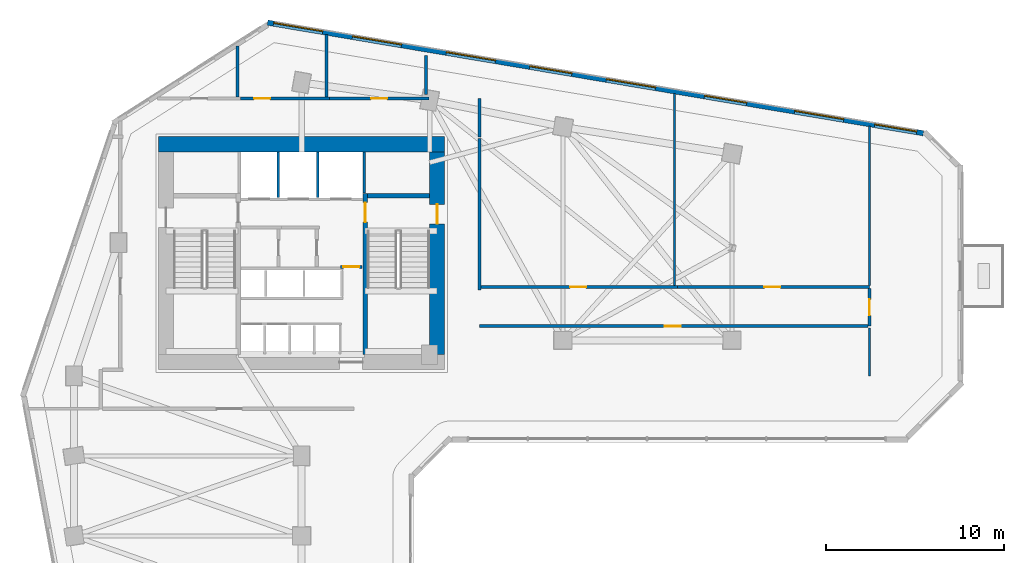
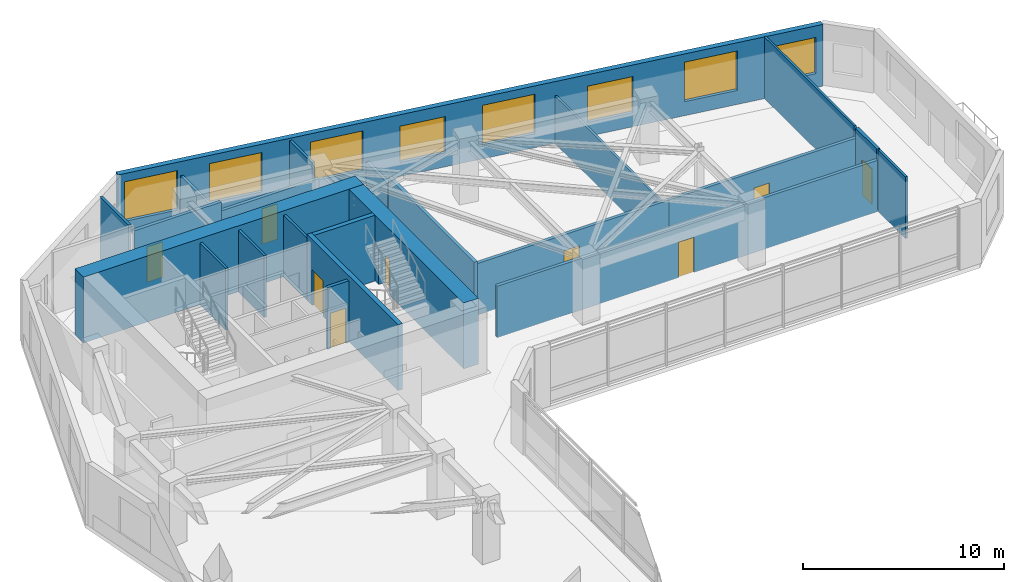
# One storey, part 7 of 11: 23 walls, 9 doors, 8 windows, 17 openings.
"""IFC4 building model written with IfcOpenShell, lengths in metres."""

from ifc_helpers import new_model, si_unit, direction, frame, frame_2d, origin, place, context, subcontext, project, spatial, rectangle, extrude, source, transform, mapped, material, layer, layer_set, type_object, element, fill, save


model = new_model("IFC4")

# Units and contexts
model_context = context("Model", 3, precision=1e-05, world=origin(), true_north=direction((0.0, 1.0)))
body_context = subcontext(model_context, "Body", "Model", "MODEL_VIEW")
ifc_project = project(units=[si_unit("LENGTHUNIT", "METRE"), si_unit("AREAUNIT", "SQUARE_METRE"), si_unit("VOLUMEUNIT", "CUBIC_METRE"), si_unit("PLANEANGLEUNIT", "RADIAN"), si_unit("MASSUNIT", "GRAM", prefix="KILO")], contexts=[model_context])

# Site, building, storey
site_placement = place(None, origin())
site = spatial("IfcSite", under=ifc_project, at=site_placement, CompositionType="ELEMENT")
building_placement = place(site_placement, origin())
building = spatial("IfcBuilding", under=site, at=building_placement, Name="Calvemar Wedge Station Tower", CompositionType="ELEMENT")
storey_placement = place(building_placement, frame((0.0, 0.0, 35.0)))
storey = spatial("IfcBuildingStorey", under=building, at=storey_placement, Name="L08", CompositionType="ELEMENT", Elevation=35.0)

# Wall, opening, door
ifc_material_1 = material(Name="Concrete C50", Category="concrete")
ifc_layer_1 = layer(ifc_material_1, 0.260009765625)
ifc_layer_set_1 = layer_set([ifc_layer_1], Name="Concrete C50")
wall_type_1 = type_object("IfcWallType", Name="SW-CORE-260", PredefinedType="SHEAR", material=ifc_layer_set_1)
wall_1_placement = place(storey_placement, frame((27.3701171875, 34.199951171875, 0.0), z_axis=(0.0, 0.0, 1.0), x_axis=(0.0, 1.0, 0.0)))
wall_1 = element("IfcWall", 1, at=wall_1_placement, inside=storey, type_object=wall_type_1, Name="Storey L08 Core Shear Wall SPINE-E", PredefinedType="SHEAR", context=body_context, shape_type="SweptSolid", body=[
    extrude(rectangle(XDim=9.06005859375, YDim=0.260009765625, at=frame_2d((4.530029296875, 0.0))), origin(), (0.0, 0.0, 1.0), 4.0),
])
shared_shape_1 = source(origin(), body_context, "Body", "SweptSolid", [
    extrude(rectangle(XDim=1.10009765625, YDim=2.14990234375, at=frame_2d((0.550048828125, 1.074951171875))), frame((0.0, 0.14013671875, 0.0), z_axis=(0.0, -1.0, 0.0), x_axis=(1.0, 0.0, 0.0)), (0.0, 0.0, 1.0), 0.280029296875),
])
opening_1_placement = place(wall_1_placement, frame((7.449951171875, 0.0, 0.0)))
opening_1 = element("IfcOpeningElement", 2, at=opening_1_placement, cuts=wall_1, Name="Opening FD-90", PredefinedType="OPENING", context=body_context, shape_type="MappedRepresentation", body=[
    mapped(shared_shape_1, transform((0.0, 0.0, 0.0), scale=1.0)),
])
ifc_material_2 = material(Name="Galvanized fire-rated steel door leaf P-90", Category="steel")
door_type_1 = type_object("IfcDoorType", Name="DR-FD90-1100", OperationType="NOTDEFINED", PredefinedType="DOOR", material=ifc_material_2)
shared_shape_2 = source(origin(), body_context, "Body", "SweptSolid", [
    extrude(rectangle(XDim=1.10009765625, YDim=2.14990234375, at=frame_2d((0.550048828125, 1.074951171875))), frame((0.0, 0.02490234375, 0.0), z_axis=(0.0, -1.0, 0.0), x_axis=(1.0, 0.0, 0.0)), (0.0, 0.0, 1.0), 0.050048828125),
])
door_1_placement = place(opening_1_placement, origin())
door_1 = element("IfcDoor", 3, at=door_1_placement, inside=storey, type_object=door_type_1, Name="L08 FF Lobby to Stair ST-C2 Door", OperationType="SINGLE_SWING_RIGHT", OverallHeight=2.14990234375, OverallWidth=1.10009765625, PredefinedType="DOOR", context=body_context, shape_type="MappedRepresentation", body=[
    mapped(shared_shape_2, transform((0.0, 0.0, 0.0), scale=1.0)),
])
fill(opening_1, door_1)

# Walls
wall_2_placement = place(storey_placement, frame((27.5, 43.1298828125, 0.0), z_axis=(0.0, 0.0, 1.0), x_axis=(1.0, 0.0, 0.0)))
element("IfcWall", 4, at=wall_2_placement, inside=storey, type_object=wall_type_1, Name="Storey L08 Core Shear Wall STC2-N", PredefinedType="SHEAR", context=body_context, shape_type="SweptSolid", body=[
    extrude(rectangle(XDim=3.5, YDim=0.260009765625, at=frame_2d((1.75, 0.0))), origin(), (0.0, 0.0, 1.0), 4.0),
])
ifc_material_3 = material(Name="Concrete C80", Category="concrete")
ifc_layer_2 = layer(ifc_material_3, 0.85009765625)
ifc_layer_set_2 = layer_set([ifc_layer_2], Name="Concrete C80")
wall_type_2 = type_object("IfcWallType", Name="SW-CORE-850", PredefinedType="SHEAR", material=ifc_layer_set_2)
wall_3_placement = place(storey_placement, frame((15.75, 46.02490234375, 0.0), z_axis=(0.0, 0.0, 1.0), x_axis=(1.0, 0.0, 0.0)))
element("IfcWall", 5, at=wall_3_placement, inside=storey, type_object=wall_type_2, Name="Storey L08 Core Shear Wall N", PredefinedType="SHEAR", context=body_context, shape_type="SweptSolid", body=[
    extrude(rectangle(XDim=16.10009765625, YDim=0.85009765625, at=frame_2d((8.050048828125, 0.0))), origin(), (0.0, 0.0, 1.0), 4.0),
])

# Wall, opening, door
wall_4_placement = place(storey_placement, frame((31.425048828125, 34.199951171875, 0.0), z_axis=(0.0, 0.0, 1.0), x_axis=(0.0, 1.0, 0.0)))
wall_4 = element("IfcWall", 6, at=wall_4_placement, inside=storey, type_object=wall_type_2, Name="Storey L08 Core Shear Wall E", PredefinedType="SHEAR", context=body_context, shape_type="SweptSolid", body=[
    extrude(rectangle(XDim=11.400146484375, YDim=0.85009765625, at=frame_2d((5.7001953125, 0.0))), origin(), (0.0, 0.0, 1.0), 4.0),
])
shared_shape_3 = source(origin(), body_context, "Body", "SweptSolid", [
    extrude(rectangle(XDim=1.10009765625, YDim=2.14990234375, at=frame_2d((0.550048828125, 1.074951171875))), frame((0.0, 0.43505859375, 0.0), z_axis=(0.0, -1.0, 0.0), x_axis=(1.0, 0.0, 0.0)), (0.0, 0.0, 1.0), 0.8701171875),
])
opening_2_placement = place(wall_4_placement, frame((7.35009765625, 0.0, 0.0)))
opening_2 = element("IfcOpeningElement", 7, at=opening_2_placement, cuts=wall_4, Name="Opening FD-90", PredefinedType="OPENING", context=body_context, shape_type="MappedRepresentation", body=[
    mapped(shared_shape_3, transform((0.0, 0.0, 0.0), scale=1.0)),
])
door_2_placement = place(opening_2_placement, origin())
door_2 = element("IfcDoor", 8, at=door_2_placement, inside=storey, type_object=door_type_1, Name="L08 East Corridor to Exit Stair ST-C2 Door", OperationType="SINGLE_SWING_RIGHT", OverallHeight=2.14990234375, OverallWidth=1.10009765625, PredefinedType="DOOR", context=body_context, shape_type="MappedRepresentation", body=[
    mapped(shared_shape_2, transform((0.0, 0.0, 0.0), scale=1.0)),
])
fill(opening_2, door_2)

ifc_material_4 = material(Name="Double-stud fire-rated corridor partition")
ifc_layer_3 = layer(ifc_material_4, 0.179931640625)
ifc_layer_set_3 = layer_set([ifc_layer_3], Name="Double-stud fire-rated corridor partition")
wall_type_3 = type_object("IfcWallType", Name="W-CORR-180", PredefinedType="PARTITIONING", material=ifc_layer_set_3)
wall_5_placement = place(storey_placement, frame((27.199951171875, 39.1298828125, 0.0), z_axis=(0.0, 0.0, 1.0), x_axis=(-1.0, 0.0, 0.0)))
wall_5 = element("IfcWall", 9, at=wall_5_placement, inside=storey, type_object=wall_type_3, Name="Storey L08 Interior Partition WL-L08-005", PredefinedType="PARTITIONING", context=body_context, shape_type="SweptSolid", body=[
    extrude(rectangle(XDim=1.2099609375, YDim=0.179931640625, at=frame_2d((0.60498046875, 0.0))), origin(), (0.0, 0.0, 1.0), 3.75),
])
shared_shape_4 = source(origin(), body_context, "Body", "SweptSolid", [
    extrude(rectangle(XDim=0.89990234375, YDim=2.14990234375, at=frame_2d((0.449951171875, 1.074951171875))), frame((0.0, 0.10009765625, 0.0), z_axis=(0.0, -1.0, 0.0), x_axis=(1.0, 0.0, 0.0)), (0.0, 0.0, 1.0), 0.199951171875),
])
opening_3_placement = place(wall_5_placement, frame((0.155029296875, 0.0, 0.0)))
opening_3 = element("IfcOpeningElement", 10, at=opening_3_placement, cuts=wall_5, Name="Opening FD-60", PredefinedType="OPENING", context=body_context, shape_type="MappedRepresentation", body=[
    mapped(shared_shape_4, transform((0.0, 0.0, 0.0), scale=1.0)),
])
ifc_material_5 = material(Name="Fire-rated acoustic timber-core entrance door EI 60", Category="wood")
door_type_2 = type_object("IfcDoorType", Name="DR-FD60-900", OperationType="NOTDEFINED", PredefinedType="DOOR", material=ifc_material_5)
shared_shape_5 = source(origin(), body_context, "Body", "SweptSolid", [
    extrude(rectangle(XDim=0.89990234375, YDim=2.14990234375, at=frame_2d((0.449951171875, 1.074951171875))), frame((0.0, 0.02490234375, 0.0), z_axis=(0.0, -1.0, 0.0), x_axis=(1.0, 0.0, 0.0)), (0.0, 0.0, 1.0), 0.050048828125),
])
door_3_placement = place(opening_3_placement, origin())
door_3 = element("IfcDoor", 11, at=door_3_placement, inside=storey, type_object=door_type_2, Name="L08 Core Service Lobby Door", OperationType="SINGLE_SWING_LEFT", OverallHeight=2.14990234375, OverallWidth=0.89990234375, PredefinedType="DOOR", context=body_context, shape_type="MappedRepresentation", body=[
    mapped(shared_shape_5, transform((0.0, 0.0, 0.0), scale=1.0)),
])
fill(opening_3, door_3)

wall_6_placement = place(storey_placement, frame((20.362060546875, 48.60009765625, 0.0), z_axis=(0.0, 0.0, 1.0), x_axis=(1.0, 0.0, 0.0)))
wall_6 = element("IfcWall", 12, at=wall_6_placement, inside=storey, type_object=wall_type_3, Name="Storey L08 Interior Partition WL-L08-012", PredefinedType="PARTITIONING", context=body_context, shape_type="SweptSolid", body=[
    extrude(rectangle(XDim=4.998046875, YDim=0.179931640625, at=frame_2d((2.4990234375, 0.0))), origin(), (0.0, 0.0, 1.0), 3.43408203125),
])
opening_4_placement = place(wall_6_placement, frame((0.76806640625, 0.0, 0.0)))
opening_4 = element("IfcOpeningElement", 13, at=opening_4_placement, cuts=wall_6, Name="Opening D-01", PredefinedType="OPENING", context=body_context, shape_type="MappedRepresentation", body=[
    mapped(shared_shape_4, transform((0.0, 0.0, 0.0), scale=1.0)),
])
ifc_material_6 = material(Name="Architectural hardwood acoustic swing door", Category="wood")
door_type_3 = type_object("IfcDoorType", Name="DR-INT-900", OperationType="NOTDEFINED", PredefinedType="DOOR", material=ifc_material_6)
shared_shape_6 = source(origin(), body_context, "Body", "SweptSolid", [
    extrude(rectangle(XDim=0.89990234375, YDim=2.14990234375, at=frame_2d((0.449951171875, 1.074951171875))), frame((0.0, 0.02490234375, 0.0), z_axis=(0.0, -1.0, 0.0), x_axis=(1.0, 0.0, 0.0)), (0.0, 0.0, 1.0), 0.050048828125),
])
door_4_placement = place(opening_4_placement, origin())
door_4 = element("IfcDoor", 14, at=door_4_placement, inside=storey, type_object=door_type_3, Name="L08 Pantry Door", OperationType="SINGLE_SWING_RIGHT", OverallHeight=2.14990234375, OverallWidth=0.89990234375, PredefinedType="DOOR", context=body_context, shape_type="MappedRepresentation", body=[
    mapped(shared_shape_6, transform((0.0, 0.0, 0.0), scale=1.0)),
])
fill(opening_4, door_4)

wall_7_placement = place(storey_placement, frame((25.362060546875, 48.60009765625, 0.0), z_axis=(0.0, 0.0, 1.0), x_axis=(1.0, 0.0, 0.0)))
wall_7 = element("IfcWall", 15, at=wall_7_placement, inside=storey, type_object=wall_type_3, Name="Storey L08 Interior Partition WL-L08-013", PredefinedType="PARTITIONING", context=body_context, shape_type="SweptSolid", body=[
    extrude(rectangle(XDim=5.597900390625, YDim=0.179931640625, at=frame_2d((2.798828125, 0.0))), origin(), (0.0, 0.0, 1.0), 2.89208984375),
])
opening_5_placement = place(wall_7_placement, frame((2.34912109375, 0.0, 0.0)))
opening_5 = element("IfcOpeningElement", 16, at=opening_5_placement, cuts=wall_7, Name="Opening D-01", PredefinedType="OPENING", context=body_context, shape_type="MappedRepresentation", body=[
    mapped(shared_shape_4, transform((0.0, 0.0, 0.0), scale=1.0)),
])
door_5_placement = place(opening_5_placement, origin())
door_5 = element("IfcDoor", 17, at=door_5_placement, inside=storey, type_object=door_type_3, Name="L08 Female Toilet Door", OperationType="SINGLE_SWING_LEFT", OverallHeight=2.14990234375, OverallWidth=0.89990234375, PredefinedType="DOOR", context=body_context, shape_type="MappedRepresentation", body=[
    mapped(shared_shape_6, transform((0.0, 0.0, 0.0), scale=1.0)),
])
fill(opening_5, door_5)

# Walls
wall_8_placement = place(storey_placement, frame((33.800048828125, 48.60009765625, 0.0), z_axis=(0.0, 0.0, 1.0), x_axis=(0.0, -1.0, 0.0)))
element("IfcWall", 18, at=wall_8_placement, inside=storey, type_object=wall_type_3, Name="Storey L08 Interior Partition WL-L08-014", PredefinedType="PARTITIONING", context=body_context, shape_type="SweptSolid", body=[
    extrude(rectangle(XDim=2.150146484375, YDim=0.179931640625, at=frame_2d((1.0751953125, 0.0))), origin(), (0.0, 0.0, 1.0), 2.89208984375),
])
wall_9_placement = place(storey_placement, frame((33.800048828125, 46.35595703125, 0.0), z_axis=(0.0, 0.0, 1.0), x_axis=(0.0, -1.0, 0.0)))
element("IfcWall", 19, at=wall_9_placement, inside=storey, type_object=wall_type_3, Name="Storey L08 Interior Partition WL-L08-015", PredefinedType="PARTITIONING", context=body_context, shape_type="SweptSolid", body=[
    extrude(rectangle(XDim=8.515869140625, YDim=0.179931640625, at=frame_2d((4.2578125, 0.0))), origin(), (0.0, 0.0, 1.0), 3.322021484375),
])

# Wall, opening, door
wall_10_placement = place(storey_placement, frame((33.89404296875, 38.0, 0.0), z_axis=(0.0, 0.0, 1.0), x_axis=(1.0, 0.0, 0.0)))
wall_10 = element("IfcWall", 20, at=wall_10_placement, inside=storey, type_object=wall_type_3, Name="Storey L08 Interior Partition WL-L08-019", PredefinedType="PARTITIONING", context=body_context, shape_type="SweptSolid", body=[
    extrude(rectangle(XDim=11.032958984375, YDim=0.179931640625, at=frame_2d((5.5166015625, 0.0))), origin(), (0.0, 0.0, 1.0), 3.125),
])
opening_6_placement = place(wall_10_placement, frame((5.005859375, 0.0, 0.0)))
opening_6 = element("IfcOpeningElement", 21, at=opening_6_placement, cuts=wall_10, Name="Opening D-01", PredefinedType="OPENING", context=body_context, shape_type="MappedRepresentation", body=[
    mapped(shared_shape_4, transform((0.0, 0.0, 0.0), scale=1.0)),
])
door_6_placement = place(opening_6_placement, origin())
door_6 = element("IfcDoor", 22, at=door_6_placement, inside=storey, type_object=door_type_3, Name="L08 Co-Working Studio Door", OperationType="SINGLE_SWING_RIGHT", OverallHeight=2.14990234375, OverallWidth=0.89990234375, PredefinedType="DOOR", context=body_context, shape_type="MappedRepresentation", body=[
    mapped(shared_shape_6, transform((0.0, 0.0, 0.0), scale=1.0)),
])
fill(opening_6, door_6)

wall_11_placement = place(storey_placement, frame((44.928955078125, 38.0, 0.0), z_axis=(0.0, 0.0, 1.0), x_axis=(1.0, 0.0, 0.0)))
wall_11 = element("IfcWall", 23, at=wall_11_placement, inside=storey, type_object=wall_type_3, Name="Storey L08 Interior Partition WL-L08-020", PredefinedType="PARTITIONING", context=body_context, shape_type="SweptSolid", body=[
    extrude(rectangle(XDim=10.80615234375, YDim=0.179931640625, at=frame_2d((5.403076171875, 0.0))), origin(), (0.0, 0.0, 1.0), 3.125),
])
opening_7_placement = place(wall_11_placement, frame((4.892333984375, 0.0, 0.0)))
opening_7 = element("IfcOpeningElement", 24, at=opening_7_placement, cuts=wall_11, Name="Opening D-01", PredefinedType="OPENING", context=body_context, shape_type="MappedRepresentation", body=[
    mapped(shared_shape_4, transform((0.0, 0.0, 0.0), scale=1.0)),
])
door_7_placement = place(opening_7_placement, origin())
door_7 = element("IfcDoor", 25, at=door_7_placement, inside=storey, type_object=door_type_3, Name="L08 Meeting Room Door", OperationType="SINGLE_SWING_LEFT", OverallHeight=2.14990234375, OverallWidth=0.89990234375, PredefinedType="DOOR", context=body_context, shape_type="MappedRepresentation", body=[
    mapped(shared_shape_6, transform((0.0, 0.0, 0.0), scale=1.0)),
])
fill(opening_7, door_7)

wall_12_placement = place(storey_placement, frame((55.735107421875, 37.906005859375, 0.0), z_axis=(0.0, 0.0, 1.0), x_axis=(0.0, -1.0, 0.0)))
wall_12 = element("IfcWall", 26, at=wall_12_placement, inside=storey, type_object=wall_type_3, Name="Storey L08 Interior Partition WL-L08-021", PredefinedType="PARTITIONING", context=body_context, shape_type="SweptSolid", body=[
    extrude(rectangle(XDim=2.10595703125, YDim=0.179931640625, at=frame_2d((1.052978515625, 0.0))), origin(), (0.0, 0.0, 1.0), 3.75),
])
opening_8_placement = place(wall_12_placement, frame((0.60302734375, 0.0, 0.0)))
opening_8 = element("IfcOpeningElement", 27, at=opening_8_placement, cuts=wall_12, Name="Opening D-01", PredefinedType="OPENING", context=body_context, shape_type="MappedRepresentation", body=[
    mapped(shared_shape_4, transform((0.0, 0.0, 0.0), scale=1.0)),
])
door_8_placement = place(opening_8_placement, origin())
door_8 = element("IfcDoor", 28, at=door_8_placement, inside=storey, type_object=door_type_3, Name="L08 Briefing Lounge Door", OperationType="SINGLE_SWING_RIGHT", OverallHeight=2.14990234375, OverallWidth=0.89990234375, PredefinedType="DOOR", context=body_context, shape_type="MappedRepresentation", body=[
    mapped(shared_shape_6, transform((0.0, 0.0, 0.0), scale=1.0)),
])
fill(opening_8, door_8)

wall_13_placement = place(storey_placement, frame((55.64111328125, 35.800048828125, 0.0), z_axis=(0.0, 0.0, 1.0), x_axis=(-1.0, 0.0, 0.0)))
wall_13 = element("IfcWall", 29, at=wall_13_placement, inside=storey, type_object=wall_type_3, Name="Storey L08 Interior Partition WL-L08-022", PredefinedType="PARTITIONING", context=body_context, shape_type="SweptSolid", body=[
    extrude(rectangle(XDim=21.841064453125, YDim=0.179931640625, at=frame_2d((10.92041015625, 0.0))), origin(), (0.0, 0.0, 1.0), 3.125),
])
opening_9_placement = place(wall_13_placement, frame((10.53076171875, 0.0, 0.0)))
opening_9 = element("IfcOpeningElement", 30, at=opening_9_placement, cuts=wall_13, Name="Opening D-01", PredefinedType="OPENING", context=body_context, shape_type="MappedRepresentation", body=[
    mapped(shared_shape_4, transform((0.0, 0.0, 0.0), scale=1.0)),
])
door_9_placement = place(opening_9_placement, origin())
door_9 = element("IfcDoor", 31, at=door_9_placement, inside=storey, type_object=door_type_3, Name="L08 Meeting Room Door", OperationType="SINGLE_SWING_LEFT", OverallHeight=2.14990234375, OverallWidth=0.89990234375, PredefinedType="DOOR", context=body_context, shape_type="MappedRepresentation", body=[
    mapped(shared_shape_6, transform((0.0, 0.0, 0.0), scale=1.0)),
])
fill(opening_9, door_9)

# Wall, openings, windows
ifc_material_7 = material(Name="Precast concrete C45", Category="concrete")
ifc_layer_4 = layer(ifc_material_7, 0.300048828125)
ifc_layer_set_4 = layer_set([ifc_layer_4], Name="Precast concrete C45")
wall_type_4 = type_object("IfcWallType", Name="W-EXT-GFRC-300", PredefinedType="SOLIDWALL", material=ifc_layer_set_4)
wall_14_placement = place(storey_placement, frame((58.7607421875, 46.648193359375, 0.0), z_axis=(0.0, 0.0, 1.0), x_axis=(-0.98607502735, 0.166301053624, 0.0)))
wall_14 = element("IfcWall", 32, at=wall_14_placement, inside=storey, type_object=wall_type_4, Name="Storey L08 Bronze GFRC Exterior Wall 10", PredefinedType="SOLIDWALL", context=body_context, shape_type="SweptSolid", body=[
    extrude(rectangle(XDim=37.3974609375, YDim=0.300048828125, at=frame_2d((18.69873046875, 0.0))), origin(), (0.0, 0.0, 1.0), 3.75),
])
shared_shape_7 = source(origin(), body_context, "Body", "SweptSolid", [
    extrude(rectangle(XDim=2.39990234375, YDim=2.199951171875, at=frame_2d((1.199951171875, 1.10009765625))), frame((0.0, 0.16015625, 0.0), z_axis=(0.0, -1.0, 0.0), x_axis=(1.0, 0.0, 0.0)), (0.0, 0.0, 1.0), 0.320068359375),
])
opening_10_placement = place(wall_14_placement, frame((0.375, 0.0, 0.85009765625)))
opening_10 = element("IfcOpeningElement", 33, at=opening_10_placement, cuts=wall_14, Name="Opening W1", PredefinedType="OPENING", context=body_context, shape_type="MappedRepresentation", body=[
    mapped(shared_shape_7, transform((0.0, 0.0, 0.0), scale=1.0)),
])
shared_shape_8 = source(origin(), body_context, "Body", "SweptSolid", [
    extrude(rectangle(XDim=2.800048828125, YDim=2.39990234375, at=frame_2d((1.39990234375, 1.199951171875))), frame((0.0, 0.16015625, 0.0), z_axis=(0.0, -1.0, 0.0), x_axis=(1.0, 0.0, 0.0)), (0.0, 0.0, 1.0), 0.320068359375),
])
opening_11_placement = place(wall_14_placement, frame((4.5400390625, 0.0, 0.85009765625)))
opening_11 = element("IfcOpeningElement", 34, at=opening_11_placement, cuts=wall_14, Name="Opening W6", PredefinedType="OPENING", context=body_context, shape_type="MappedRepresentation", body=[
    mapped(shared_shape_8, transform((0.0, 0.0, 0.0), scale=1.0)),
])
opening_12_placement = place(wall_14_placement, frame((10.0810546875, 0.0, 0.85009765625)))
opening_12 = element("IfcOpeningElement", 35, at=opening_12_placement, cuts=wall_14, Name="Opening W1", PredefinedType="OPENING", context=body_context, shape_type="MappedRepresentation", body=[
    mapped(shared_shape_7, transform((0.0, 0.0, 0.0), scale=1.0)),
])
opening_13_placement = place(wall_14_placement, frame((15.27294921875, 0.0, 0.85009765625)))
opening_13 = element("IfcOpeningElement", 36, at=opening_13_placement, cuts=wall_14, Name="Opening W6", PredefinedType="OPENING", context=body_context, shape_type="MappedRepresentation", body=[
    mapped(shared_shape_8, transform((0.0, 0.0, 0.0), scale=1.0)),
])
opening_14_placement = place(wall_14_placement, frame((20.035888671875, 0.0, 0.85009765625)))
opening_14 = element("IfcOpeningElement", 37, at=opening_14_placement, cuts=wall_14, Name="Opening W1", PredefinedType="OPENING", context=body_context, shape_type="MappedRepresentation", body=[
    mapped(shared_shape_7, transform((0.0, 0.0, 0.0), scale=1.0)),
])
opening_15_placement = place(wall_14_placement, frame((24.39794921875, 0.0, 0.85009765625)))
opening_15 = element("IfcOpeningElement", 38, at=opening_15_placement, cuts=wall_14, Name="Opening W6", PredefinedType="OPENING", context=body_context, shape_type="MappedRepresentation", body=[
    mapped(shared_shape_8, transform((0.0, 0.0, 0.0), scale=1.0)),
])
opening_16_placement = place(wall_14_placement, frame((29.757080078125, 0.0, 0.85009765625)))
opening_16 = element("IfcOpeningElement", 39, at=opening_16_placement, cuts=wall_14, Name="Opening W6", PredefinedType="OPENING", context=body_context, shape_type="MappedRepresentation", body=[
    mapped(shared_shape_8, transform((0.0, 0.0, 0.0), scale=1.0)),
])
opening_17_placement = place(wall_14_placement, frame((34.256103515625, 0.0, 0.85009765625)))
opening_17 = element("IfcOpeningElement", 40, at=opening_17_placement, cuts=wall_14, Name="Opening W6", PredefinedType="OPENING", context=body_context, shape_type="MappedRepresentation", body=[
    mapped(shared_shape_8, transform((0.0, 0.0, 0.0), scale=1.0)),
])
ifc_material_8 = material(Name="Low-E laminated insulated glass", Category="glass")
window_type_1 = type_object("IfcWindowType", Name="WIN-EXT-6", PartitioningType="SINGLE_PANEL", PredefinedType="WINDOW", material=ifc_material_8)
shared_shape_9 = source(origin(), body_context, "Body", "SweptSolid", [
    extrude(rectangle(XDim=2.800048828125, YDim=2.39990234375, at=frame_2d((1.39990234375, 1.199951171875))), frame((0.0, -0.014892578125, 0.0), z_axis=(0.0, -1.0, 0.0), x_axis=(1.0, 0.0, 0.0)), (0.0, 0.0, 1.0), 0.06005859375),
])
window_1_placement = place(opening_11_placement, origin())
window_1 = element("IfcWindow", 41, at=window_1_placement, inside=storey, type_object=window_type_1, Name="Storey L08 Recessed Window 10.2", OverallHeight=2.39990234375, OverallWidth=2.800048828125, PartitioningType="SINGLE_PANEL", PredefinedType="WINDOW", context=body_context, shape_type="MappedRepresentation", body=[
    mapped(shared_shape_9, transform((0.0, 0.0, 0.0), scale=1.0)),
])
fill(opening_11, window_1)
window_2_placement = place(opening_13_placement, origin())
window_2 = element("IfcWindow", 42, at=window_2_placement, inside=storey, type_object=window_type_1, Name="Storey L08 Recessed Window 10.4", OverallHeight=2.39990234375, OverallWidth=2.800048828125, PartitioningType="SINGLE_PANEL", PredefinedType="WINDOW", context=body_context, shape_type="MappedRepresentation", body=[
    mapped(shared_shape_9, transform((0.0, 0.0, 0.0), scale=1.0)),
])
fill(opening_13, window_2)
window_3_placement = place(opening_15_placement, origin())
window_3 = element("IfcWindow", 43, at=window_3_placement, inside=storey, type_object=window_type_1, Name="Storey L08 Recessed Window 10.6", OverallHeight=2.39990234375, OverallWidth=2.800048828125, PartitioningType="SINGLE_PANEL", PredefinedType="WINDOW", context=body_context, shape_type="MappedRepresentation", body=[
    mapped(shared_shape_9, transform((0.0, 0.0, 0.0), scale=1.0)),
])
fill(opening_15, window_3)
window_4_placement = place(opening_16_placement, origin())
window_4 = element("IfcWindow", 44, at=window_4_placement, inside=storey, type_object=window_type_1, Name="Storey L08 Recessed Window 10.7", OverallHeight=2.39990234375, OverallWidth=2.800048828125, PartitioningType="SINGLE_PANEL", PredefinedType="WINDOW", context=body_context, shape_type="MappedRepresentation", body=[
    mapped(shared_shape_9, transform((0.0, 0.0, 0.0), scale=1.0)),
])
fill(opening_16, window_4)
window_5_placement = place(opening_17_placement, origin())
window_5 = element("IfcWindow", 45, at=window_5_placement, inside=storey, type_object=window_type_1, Name="Storey L08 Recessed Window 10.8", OverallHeight=2.39990234375, OverallWidth=2.800048828125, PartitioningType="SINGLE_PANEL", PredefinedType="WINDOW", context=body_context, shape_type="MappedRepresentation", body=[
    mapped(shared_shape_9, transform((0.0, 0.0, 0.0), scale=1.0)),
])
fill(opening_17, window_5)
window_type_2 = type_object("IfcWindowType", Name="WIN-EXT-1", PartitioningType="SINGLE_PANEL", PredefinedType="WINDOW", material=ifc_material_8)
shared_shape_10 = source(origin(), body_context, "Body", "SweptSolid", [
    extrude(rectangle(XDim=2.39990234375, YDim=2.199951171875, at=frame_2d((1.199951171875, 1.10009765625))), frame((0.0, -0.014892578125, 0.0), z_axis=(0.0, -1.0, 0.0), x_axis=(1.0, 0.0, 0.0)), (0.0, 0.0, 1.0), 0.06005859375),
])
window_6_placement = place(opening_10_placement, origin())
window_6 = element("IfcWindow", 46, at=window_6_placement, inside=storey, type_object=window_type_2, Name="Storey L08 Recessed Window 10.1", OverallHeight=2.199951171875, OverallWidth=2.39990234375, PartitioningType="SINGLE_PANEL", PredefinedType="WINDOW", context=body_context, shape_type="MappedRepresentation", body=[
    mapped(shared_shape_10, transform((0.0, 0.0, 0.0), scale=1.0)),
])
fill(opening_10, window_6)
window_7_placement = place(opening_12_placement, origin())
window_7 = element("IfcWindow", 47, at=window_7_placement, inside=storey, type_object=window_type_2, Name="Storey L08 Recessed Window 10.3", OverallHeight=2.199951171875, OverallWidth=2.39990234375, PartitioningType="SINGLE_PANEL", PredefinedType="WINDOW", context=body_context, shape_type="MappedRepresentation", body=[
    mapped(shared_shape_10, transform((0.0, 0.0, 0.0), scale=1.0)),
])
fill(opening_12, window_7)
window_8_placement = place(opening_14_placement, origin())
window_8 = element("IfcWindow", 48, at=window_8_placement, inside=storey, type_object=window_type_2, Name="Storey L08 Recessed Window 10.5", OverallHeight=2.199951171875, OverallWidth=2.39990234375, PartitioningType="SINGLE_PANEL", PredefinedType="WINDOW", context=body_context, shape_type="MappedRepresentation", body=[
    mapped(shared_shape_10, transform((0.0, 0.0, 0.0), scale=1.0)),
])
fill(opening_14, window_8)

# Walls
ifc_material_9 = material(Name="Reinforced concrete blockwork lift shaft wall", Category="masonry")
ifc_layer_5 = layer(ifc_material_9, 0.139892578125)
ifc_layer_set_5 = layer_set([ifc_layer_5], Name="Reinforced concrete blockwork lift shaft wall")
wall_type_5 = type_object("IfcWallType", Name="W-LIFT-160", PredefinedType="SOLIDWALL", material=ifc_layer_set_5)
wall_15_placement = place(storey_placement, frame((27.31005859375, 43.280029296875, 0.0), z_axis=(0.0, 0.0, 1.0), x_axis=(0.0, 1.0, 0.0)))
element("IfcWall", 49, at=wall_15_placement, inside=storey, type_object=wall_type_5, Name="Storey L08 Firefighting Lift Shaft Enclosure Wall E", PredefinedType="SOLIDWALL", context=body_context, shape_type="SweptSolid", body=[
    extrude(rectangle(XDim=2.300048828125, YDim=0.139892578125, at=frame_2d((1.14990234375, 0.0))), origin(), (0.0, 0.0, 1.0), 3.75),
])
for number, where, z_axis, x_axis, name in (
    (50, (22.5, 43.02001953125, 0.0), (0.0, 0.0, 1.0), (0.0, 1.0, 0.0), "Storey L08 Firefighting Lift Shaft Enclosure Wall D1"),
    (51, (24.699951171875, 43.02001953125, 0.0), (0.0, 0.0, 1.0), (0.0, 1.0, 0.0), "Storey L08 Firefighting Lift Shaft Enclosure Wall D2"),
):
    element("IfcWall", number, at=place(storey_placement, frame(where, z_axis=z_axis, x_axis=x_axis)), inside=storey, type_object=wall_type_5, Name=name, PredefinedType="SOLIDWALL", context=body_context, shape_type="SweptSolid", body=[
        extrude(rectangle(XDim=2.56005859375, YDim=0.139892578125, at=frame_2d((1.280029296875, 0.0))), origin(), (0.0, 0.0, 1.0), 3.75),
    ])
ifc_material_10 = material(Name="Insulated acoustic gypsum stud partition")
ifc_layer_6 = layer(ifc_material_10, 0.125)
ifc_layer_set_6 = layer_set([ifc_layer_6], Name="Insulated acoustic gypsum stud partition")
wall_type_6 = type_object("IfcWallType", Name="W-PART-125", PredefinedType="PARTITIONING", material=ifc_layer_set_6)
wall_16_placement = place(storey_placement, frame((44.76708984375, 48.8916015625, 0.0), z_axis=(0.0, 0.0, 1.0), x_axis=(0.0, -1.0, 0.0)))
element("IfcWall", 52, at=wall_16_placement, inside=storey, type_object=wall_type_6, Name="Storey L08 Interior Partition WL-L08-023", PredefinedType="PARTITIONING", context=body_context, shape_type="SweptSolid", body=[
    extrude(rectangle(XDim=10.797607421875, YDim=0.125, at=frame_2d((5.39892578125, 0.0))), origin(), (0.0, 0.0, 1.0), 2.89208984375),
])
wall_17_placement = place(storey_placement, frame((55.735107421875, 47.0419921875, 0.0), z_axis=(0.0, 0.0, 1.0), x_axis=(0.0, -1.0, 0.0)))
element("IfcWall", 53, at=wall_17_placement, inside=storey, type_object=wall_type_6, Name="Storey L08 Interior Partition WL-L08-024", PredefinedType="PARTITIONING", context=body_context, shape_type="SweptSolid", body=[
    extrude(rectangle(XDim=8.947998046875, YDim=0.125, at=frame_2d((4.47412109375, 0.0))), origin(), (0.0, 0.0, 1.0), 3.75),
])
wall_18_placement = place(storey_placement, frame((55.735107421875, 33.0, 0.0), z_axis=(0.0, 0.0, 1.0), x_axis=(0.0, 1.0, 0.0)))
element("IfcWall", 54, at=wall_18_placement, inside=storey, type_object=wall_type_6, Name="Storey L08 Interior Partition WL-L08-025", PredefinedType="PARTITIONING", context=body_context, shape_type="SweptSolid", body=[
    extrude(rectangle(XDim=2.7060546875, YDim=0.125, at=frame_2d((1.35302734375, 0.0))), origin(), (0.0, 0.0, 1.0), 3.75),
])
ifc_material_11 = material(Name="Moisture-resistant acoustic bathroom partition")
ifc_layer_7 = layer(ifc_material_11, 0.14990234375)
ifc_layer_set_7 = layer_set([ifc_layer_7], Name="Moisture-resistant acoustic bathroom partition")
wall_type_7 = type_object("IfcWallType", Name="W-WET-150", PredefinedType="PARTITIONING", material=ifc_layer_set_7)
wall_19_placement = place(storey_placement, frame((20.199951171875, 51.540283203125, 0.0), z_axis=(0.0, 0.0, 1.0), x_axis=(0.0, -1.0, 0.0)))
element("IfcWall", 55, at=wall_19_placement, inside=storey, type_object=wall_type_7, Name="Storey L08 Interior Partition WL-L08-017", PredefinedType="PARTITIONING", context=body_context, shape_type="SweptSolid", body=[
    extrude(rectangle(XDim=2.84619140625, YDim=0.14990234375, at=frame_2d((1.423095703125, 0.0))), origin(), (0.0, 0.0, 1.0), 3.75),
])
wall_20_placement = place(storey_placement, frame((25.199951171875, 52.191650390625, 0.0), z_axis=(0.0, 0.0, 1.0), x_axis=(0.0, -1.0, 0.0)))
element("IfcWall", 56, at=wall_20_placement, inside=storey, type_object=wall_type_7, Name="Storey L08 Interior Partition WL-L08-018", PredefinedType="PARTITIONING", context=body_context, shape_type="SweptSolid", body=[
    extrude(rectangle(XDim=3.49755859375, YDim=0.14990234375, at=frame_2d((1.748779296875, 0.0))), origin(), (0.0, 0.0, 1.0), 2.89208984375),
])
wall_21_placement = place(storey_placement, frame((30.800048828125, 51.02392578125, 0.0), z_axis=(0.0, 0.0, 1.0), x_axis=(0.0, -1.0, 0.0)))
element("IfcWall", 57, at=wall_21_placement, inside=storey, type_object=wall_type_7, Name="Storey L08 Bathroom Enclosure Wall WL-L08-029", PredefinedType="PARTITIONING", context=body_context, shape_type="SweptSolid", body=[
    extrude(rectangle(XDim=2.203857421875, YDim=0.14990234375, at=frame_2d((1.10205078125, 0.0))), origin(), (0.0, 0.0, 1.0), 3.75),
])

save(model, "model.ifc")
